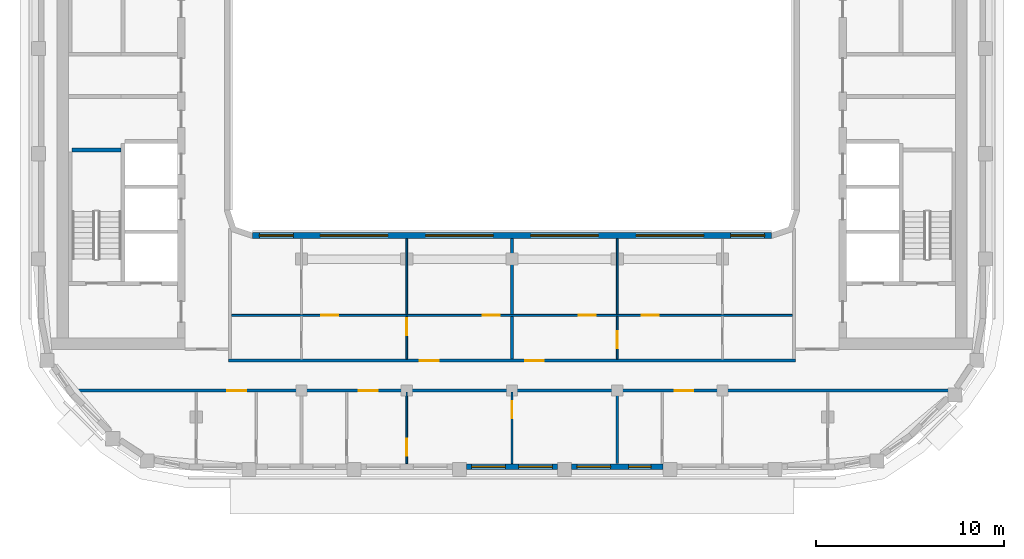
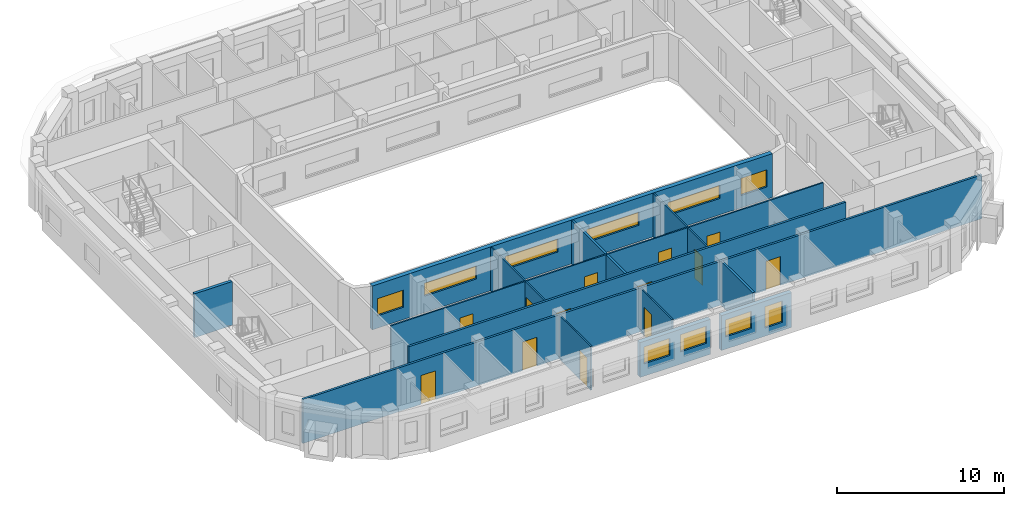
# One storey, part 3 of 16: 16 walls, 13 doors, 10 windows, 23 openings.
"""IFC4 building model written with IfcOpenShell, lengths in metres."""

import ifcopenshell
import ifcopenshell.guid

model = None  # the IFC model being written
_history = None  # IfcOwnerHistory: only IFC2X3 demands one
_inside = {}  # id of a spatial element -> (the spatial element, [elements in it])
_under = {}  # id of a project, library or spatial element -> (it, [spatial elements below it])
_declared = {}  # id of a project -> (the project, [libraries it declares])
_typed = {}  # id of a type object -> (the type object, [elements of that type])
_made_of = {}  # id of a material, layer set ... -> (it, [elements and type objects made of it])


def new_model(schema):
    """Start an empty IFC model of exactly this schema.

    Asked for "IFC4X3", IfcOpenShell would pick the latest addendum, in which some entities
    have other attributes; the version numbers below select the first issue.
    IFC2X3 requires an IfcOwnerHistory on every rooted entity: one is made here for all.
    """
    global model, _history
    if schema == "IFC4X3":
        model = ifcopenshell.file(schema_version=(4, 3, 0, 0))
    else:
        model = ifcopenshell.file(schema=schema)
    _inside.clear()
    _under.clear()
    _declared.clear()
    _typed.clear()
    _made_of.clear()
    _history = None
    if model.schema == "IFC2X3":
        org = make("IfcOrganization", Name="unknown")
        user = make(
            "IfcPersonAndOrganization",
            ThePerson=make("IfcPerson", FamilyName="unknown"),
            TheOrganization=org,
        )
        app = make(
            "IfcApplication",
            ApplicationDeveloper=org,
            Version="unknown",
            ApplicationFullName="unknown",
            ApplicationIdentifier="unknown",
        )
        _history = make(
            "IfcOwnerHistory",
            OwningUser=user,
            OwningApplication=app,
            ChangeAction="ADDED",
            CreationDate=0,
        )
    return model


def make(cls, **values):
    """One entity of the class cls with the attributes given. An attribute that is None is left unset."""
    return model.create_entity(
        cls, **{name: value for name, value in values.items() if value is not None}
    )


def rooted(cls, **values):
    """An entity with a GlobalId (a new one), such as an element, a storey or a relation."""
    return make(cls, GlobalId=ifcopenshell.guid.new(), OwnerHistory=_history, **values)


def si_unit(unit_type, name, prefix=None):
    """IfcSIUnit, for example si_unit("LENGTHUNIT", "METRE", prefix="MILLI")."""
    return make("IfcSIUnit", UnitType=unit_type, Prefix=prefix, Name=name)


def assignment(units):
    """IfcUnitAssignment: the units of a project."""
    return None if units is None else make("IfcUnitAssignment", Units=units)


def point(xyz):
    """IfcCartesianPoint."""
    return None if xyz is None else make("IfcCartesianPoint", Coordinates=xyz)


def direction(xyz):
    """IfcDirection."""
    return None if xyz is None else make("IfcDirection", DirectionRatios=xyz)


def frame(location, z_axis=None, x_axis=None):
    """IfcAxis2Placement3D, a coordinate frame: its origin and axes. An axis left out is left unset."""
    return make(
        "IfcAxis2Placement3D",
        Location=point(location),
        Axis=direction(z_axis),
        RefDirection=direction(x_axis),
    )


def frame_2d(location, x_axis=None):
    """IfcAxis2Placement2D, a coordinate frame in the plane: its origin and x axis."""
    return make(
        "IfcAxis2Placement2D", Location=point(location), RefDirection=direction(x_axis)
    )


def origin():
    """The frame at (0, 0, 0) with its axes left unset."""
    return frame((0.0, 0.0, 0.0))


def place(relative_to, where):
    """IfcLocalPlacement: puts the frame where relative to a parent placement (None: the world)."""
    return make(
        "IfcLocalPlacement", PlacementRelTo=relative_to, RelativePlacement=where
    )


def context(
    kind, dimensions, precision=None, world=None, true_north=None, identifier=None
):
    """IfcGeometricRepresentationContext, for example the 3D "Model" context."""
    return make(
        "IfcGeometricRepresentationContext",
        ContextIdentifier=identifier,
        ContextType=kind,
        CoordinateSpaceDimension=dimensions,
        Precision=precision,
        WorldCoordinateSystem=world,
        TrueNorth=true_north,
    )


def subcontext(parent, identifier, kind, view, scale=None):
    """IfcGeometricRepresentationSubContext, for example "Body" below "Model"."""
    return make(
        "IfcGeometricRepresentationSubContext",
        ContextIdentifier=identifier,
        ContextType=kind,
        ParentContext=parent,
        TargetScale=scale,
        TargetView=view,
    )


def project(units=None, contexts=None):
    """IfcProject with its units and contexts."""
    return rooted(
        "IfcProject",
        Name="project",
        RepresentationContexts=contexts,
        UnitsInContext=assignment(units),
    )


def spatial(cls, under=None, at=None, **own):
    """A site, building, storey or space (cls), placed at a placement, below another one or the project."""
    s = rooted(cls, ObjectPlacement=at, **own)
    if under is not None:
        _under.setdefault(under.id(), (under, []))[1].append(s)
    return s


def profile(cls, at=None, kind="AREA", **sizes):
    """A parametric profile (cls). Its sizes go by their IFC names, for example OverallWidth=200.0."""
    return make(cls, ProfileType=kind, Position=at, **sizes)


def rectangle(**sizes):
    """IfcRectangleProfileDef."""
    return profile("IfcRectangleProfileDef", **sizes)


def extrude(swept, where, along, depth):
    """IfcExtrudedAreaSolid: the profile swept, set in the frame where, extruded along a direction by depth."""
    return make(
        "IfcExtrudedAreaSolid",
        SweptArea=swept,
        Position=where,
        ExtrudedDirection=direction(along),
        Depth=depth,
    )


def shape(context_of_items, identifier, shape_type, items):
    """IfcShapeRepresentation: the items that make up one representation, for example the "Body"."""
    return make(
        "IfcShapeRepresentation",
        ContextOfItems=context_of_items,
        RepresentationIdentifier=identifier,
        RepresentationType=shape_type,
        Items=items,
    )


def material(Name=None, Category=None):
    """IfcMaterial."""
    return make("IfcMaterial", Name=Name, Category=Category)


def layer(
    of_material, thickness, ventilated=None, Name=None, Category=None, Priority=None
):
    """IfcMaterialLayer: one layer of a wall or slab, of a material (None: an air gap)."""
    return make(
        "IfcMaterialLayer",
        Material=of_material,
        LayerThickness=thickness,
        IsVentilated=ventilated,
        Name=Name,
        Category=Category,
        Priority=Priority,
    )


def layer_set(layers, Name=None):
    """IfcMaterialLayerSet."""
    return make("IfcMaterialLayerSet", MaterialLayers=layers, LayerSetName=Name)


def made_of(thing, what):
    """Note that an element or type object is made of a material, layer set ...; save() writes the relation."""
    if what is not None:
        _made_of.setdefault(what.id(), (what, []))[1].append(thing)
    return thing


def type_object(cls, material=None, **own):
    """A type object (cls), such as IfcWallType, which elements share."""
    return made_of(rooted(cls, **own), material)


def element(
    cls,
    number,
    at=None,
    inside=None,
    cuts=None,
    type_object=None,
    material=None,
    context=None,
    identifier="Body",
    shape_type=None,
    held_by="IfcProductDefinitionShape",
    body=None,
    shapes=None,
    **own,
):
    """One element of the class cls, such as IfcWall. Its Tag is "e" and its number.

    at: its placement. inside: the storey or other place that contains it. cuts: it is an
    opening in that element (IfcRelVoidsElement). A single representation is given by context,
    identifier, shape_type and body (its items); several are given by shapes. held_by: the class
    of the entity that holds the representations. save() writes the other relations.
    """
    e = rooted(cls, Tag="e%d" % number, ObjectPlacement=at, **own)
    if body is not None:
        shapes = [shape(context, identifier, shape_type, body)]
    if shapes is not None:
        e.Representation = make(held_by, Representations=shapes)
    if inside is not None:
        _inside.setdefault(inside.id(), (inside, []))[1].append(e)
    if cuts is not None:
        rooted(
            "IfcRelVoidsElement", RelatingBuildingElement=cuts, RelatedOpeningElement=e
        )
    if type_object is not None:
        _typed.setdefault(type_object.id(), (type_object, []))[1].append(e)
    return made_of(e, material)


def fill(opening, filler):
    """IfcRelFillsElement: the door or window that sits in an opening."""
    return rooted(
        "IfcRelFillsElement",
        RelatingOpeningElement=opening,
        RelatedBuildingElement=filler,
    )


def aggregate(whole, parts):
    """IfcRelAggregates: a whole, such as a stair, and the parts it consists of."""
    return rooted("IfcRelAggregates", RelatingObject=whole, RelatedObjects=parts)


def save(model, path):
    """Write the relations noted so far, then the file.

    IfcRelAggregates (storeys below a building ...), IfcRelContainedInSpatialStructure (elements
    in a storey), IfcRelDefinesByType, IfcRelAssociatesMaterial and IfcRelDeclares: one each for
    every whole, place, type object, material and project.
    """
    for whole, parts in _under.values():
        aggregate(whole, parts)
    for where, things in _inside.values():
        rooted(
            "IfcRelContainedInSpatialStructure",
            RelatedElements=things,
            RelatingStructure=where,
        )
    for kind, things in _typed.values():
        rooted("IfcRelDefinesByType", RelatedObjects=things, RelatingType=kind)
    for what, things in _made_of.values():
        rooted("IfcRelAssociatesMaterial", RelatedObjects=things, RelatingMaterial=what)
    for by, libraries in _declared.values():
        rooted("IfcRelDeclares", RelatingContext=by, RelatedDefinitions=libraries)
    model.write(path)


model = new_model("IFC4")

# Units and contexts
model_context = context("Model", 3, precision=1e-05, world=origin(), true_north=direction((0.0, 1.0)))
body_context = subcontext(model_context, "Body", "Model", "MODEL_VIEW")
ifc_project = project(units=[si_unit("LENGTHUNIT", "METRE"), si_unit("AREAUNIT", "SQUARE_METRE"), si_unit("VOLUMEUNIT", "CUBIC_METRE"), si_unit("PLANEANGLEUNIT", "RADIAN"), si_unit("MASSUNIT", "GRAM", prefix="KILO")], contexts=[model_context])

# Site, building, storey
site_placement = place(None, origin())
site = spatial("IfcSite", under=ifc_project, at=site_placement, CompositionType="ELEMENT")
building_placement = place(site_placement, origin())
building = spatial("IfcBuilding", under=site, at=building_placement, Name="Kiln Ring Residences", CompositionType="ELEMENT")
storey_placement = place(building_placement, frame((0.0, 0.0, 269.699951171875)))
storey = spatial("IfcBuildingStorey", under=building, at=storey_placement, Name="L70", CompositionType="ELEMENT", Elevation=269.699951171875)

# Wall
ifc_material_1 = material(Name="Concrete C40/50", Category="concrete")
ifc_layer_1 = layer(ifc_material_1, 0.199951171875)
ifc_layer_set_1 = layer_set([ifc_layer_1], Name="CORE-WALL-RC200")
wall_type_1 = type_object("IfcWallType", Name="CORE-WALL-RC200", PredefinedType="SHEAR", material=ifc_layer_set_1)
wall_1_placement = place(storey_placement, frame((-20.800048828125, -2.60009765625, 0.0), z_axis=(0.0, 0.0, 1.0), x_axis=(-1.0, 0.0, 0.0)))
element("IfcWall", 1, at=wall_1_placement, inside=storey, type_object=wall_type_1, Name="Core wall west L70 12", PredefinedType="SHEAR", context=body_context, shape_type="SweptSolid", body=[
    extrude(rectangle(XDim=2.599853515625, YDim=0.199951171875, at=frame_2d((1.2998046875, 0.0))), origin(), (0.0, 0.0, 1.0), 3.199951171875),
])

# Wall, openings, windows
ifc_material_2 = material(Name="Brick masonry, dark clay brick", Category="masonry")
ifc_layer_2 = layer(ifc_material_2, 0.300048828125)
ifc_layer_set_2 = layer_set([ifc_layer_2], Name="EW-300 BRICK WALL")
wall_type_2 = type_object("IfcWallType", Name="EW-300 BRICK WALL", PredefinedType="SOLIDWALL", material=ifc_layer_set_2)
wall_2_placement = place(storey_placement, frame((-2.425048828125, -19.449951171875, 0.0), z_axis=(0.0, 0.0, 1.0), x_axis=(1.0, 0.0, 0.0)))
wall_2 = element("IfcWall", 2, at=wall_2_placement, inside=storey, type_object=wall_type_2, Name="Facade wall L70 7", PredefinedType="SOLIDWALL", context=body_context, shape_type="SweptSolid", body=[
    extrude(rectangle(XDim=4.85009765625, YDim=0.300048828125, at=frame_2d((2.425048828125, 0.0))), origin(), (0.0, 0.0, 1.0), 2.550048828125),
])
opening_1_placement = place(wall_2_placement, frame((0.27490234375, 0.0, 0.89990234375)))
opening_1 = element("IfcOpeningElement", 3, at=opening_1_placement, cuts=wall_2, Name="Opening W2", PredefinedType="OPENING", context=body_context, shape_type="SweptSolid", body=[
    extrude(rectangle(XDim=1.800048828125, YDim=1.25, at=frame_2d((0.89990234375, 0.625))), frame((0.0, 0.159912109375, 0.0), z_axis=(0.0, -1.0, 0.0), x_axis=(1.0, 0.0, 0.0)), (0.0, 0.0, 1.0), 0.320068359375),
])
opening_2_placement = place(wall_2_placement, frame((2.77490234375, 0.0, 0.89990234375)))
opening_2 = element("IfcOpeningElement", 4, at=opening_2_placement, cuts=wall_2, Name="Opening W2", PredefinedType="OPENING", context=body_context, shape_type="SweptSolid", body=[
    extrude(rectangle(XDim=1.800048828125, YDim=1.25, at=frame_2d((0.89990234375, 0.625))), frame((0.0, 0.159912109375, 0.0), z_axis=(0.0, -1.0, 0.0), x_axis=(1.0, 0.0, 0.0)), (0.0, 0.0, 1.0), 0.320068359375),
])
ifc_material_3 = material(Name="Aluminium frame with double glazing", Category="aluminium")
window_type_1 = type_object("IfcWindowType", Name="WINDOW 1800 x 1250", PartitioningType="SINGLE_PANEL", PredefinedType="WINDOW", material=ifc_material_3)
window_1_placement = place(opening_1_placement, origin())
window_1 = element("IfcWindow", 5, at=window_1_placement, inside=storey, type_object=window_type_1, Name="Window L70 8", OverallHeight=1.25, OverallWidth=1.800048828125, PartitioningType="SINGLE_PANEL", PredefinedType="WINDOW", context=body_context, shape_type="SweptSolid", body=[
    extrude(rectangle(XDim=1.800048828125, YDim=1.25, at=frame_2d((0.89990234375, 0.625))), frame((0.0, 0.030029296875, 0.0), z_axis=(0.0, -1.0, 0.0), x_axis=(1.0, 0.0, 0.0)), (0.0, 0.0, 1.0), 0.06005859375),
])
fill(opening_1, window_1)
window_2_placement = place(opening_2_placement, origin())
window_2 = element("IfcWindow", 6, at=window_2_placement, inside=storey, type_object=window_type_1, Name="Window L70 9", OverallHeight=1.25, OverallWidth=1.800048828125, PartitioningType="SINGLE_PANEL", PredefinedType="WINDOW", context=body_context, shape_type="SweptSolid", body=[
    extrude(rectangle(XDim=1.800048828125, YDim=1.25, at=frame_2d((0.89990234375, 0.625))), frame((0.0, 0.030029296875, 0.0), z_axis=(0.0, -1.0, 0.0), x_axis=(1.0, 0.0, 0.0)), (0.0, 0.0, 1.0), 0.06005859375),
])
fill(opening_2, window_2)

wall_3_placement = place(storey_placement, frame((3.175048828125, -19.449951171875, 0.0), z_axis=(0.0, 0.0, 1.0), x_axis=(1.0, 0.0, 0.0)))
wall_3 = element("IfcWall", 7, at=wall_3_placement, inside=storey, type_object=wall_type_2, Name="Facade wall L70 8", PredefinedType="SOLIDWALL", context=body_context, shape_type="SweptSolid", body=[
    extrude(rectangle(XDim=4.849853515625, YDim=0.300048828125, at=frame_2d((2.4248046875, 0.0))), origin(), (0.0, 0.0, 1.0), 2.550048828125),
])
opening_3_placement = place(wall_3_placement, frame((0.27490234375, 0.0, 0.89990234375)))
opening_3 = element("IfcOpeningElement", 8, at=opening_3_placement, cuts=wall_3, Name="Opening W2", PredefinedType="OPENING", context=body_context, shape_type="SweptSolid", body=[
    extrude(rectangle(XDim=1.800048828125, YDim=1.25, at=frame_2d((0.89990234375, 0.625))), frame((0.0, 0.159912109375, 0.0), z_axis=(0.0, -1.0, 0.0), x_axis=(1.0, 0.0, 0.0)), (0.0, 0.0, 1.0), 0.320068359375),
])
opening_4_placement = place(wall_3_placement, frame((3.02490234375, 0.0, 0.60009765625)))
opening_4 = element("IfcOpeningElement", 9, at=opening_4_placement, cuts=wall_3, Name="Opening W1", PredefinedType="OPENING", context=body_context, shape_type="SweptSolid", body=[
    extrude(rectangle(XDim=1.199951171875, YDim=1.550048828125, at=frame_2d((0.60009765625, 0.77490234375))), frame((0.0, 0.159912109375, 0.0), z_axis=(0.0, -1.0, 0.0), x_axis=(1.0, 0.0, 0.0)), (0.0, 0.0, 1.0), 0.320068359375),
])
ifc_material_4 = material(Name="Aluminium frame with double glazing", Category="aluminium")
window_type_2 = type_object("IfcWindowType", Name="WINDOW 1200 x 1550", PartitioningType="SINGLE_PANEL", PredefinedType="WINDOW", material=ifc_material_4)
window_3_placement = place(opening_4_placement, origin())
window_3 = element("IfcWindow", 10, at=window_3_placement, inside=storey, type_object=window_type_2, Name="Window L70 11", OverallHeight=1.550048828125, OverallWidth=1.199951171875, PartitioningType="SINGLE_PANEL", PredefinedType="WINDOW", context=body_context, shape_type="SweptSolid", body=[
    extrude(rectangle(XDim=1.199951171875, YDim=1.550048828125, at=frame_2d((0.60009765625, 0.77490234375))), frame((0.0, 0.030029296875, 0.0), z_axis=(0.0, -1.0, 0.0), x_axis=(1.0, 0.0, 0.0)), (0.0, 0.0, 1.0), 0.06005859375),
])
fill(opening_4, window_3)
window_4_placement = place(opening_3_placement, origin())
window_4 = element("IfcWindow", 11, at=window_4_placement, inside=storey, type_object=window_type_1, Name="Window L70 10", OverallHeight=1.25, OverallWidth=1.800048828125, PartitioningType="SINGLE_PANEL", PredefinedType="WINDOW", context=body_context, shape_type="SweptSolid", body=[
    extrude(rectangle(XDim=1.800048828125, YDim=1.25, at=frame_2d((0.89990234375, 0.625))), frame((0.0, 0.030029296875, 0.0), z_axis=(0.0, -1.0, 0.0), x_axis=(1.0, 0.0, 0.0)), (0.0, 0.0, 1.0), 0.06005859375),
])
fill(opening_3, window_4)

wall_4_placement = place(storey_placement, frame((13.800048828125, -7.14990234375, 0.0), z_axis=(0.0, 0.0, 1.0), x_axis=(-1.0, 0.0, 0.0)))
wall_4 = element("IfcWall", 12, at=wall_4_placement, inside=storey, type_object=wall_type_2, Name="Facade wall L70 48", PredefinedType="SOLIDWALL", context=body_context, shape_type="SweptSolid", body=[
    extrude(rectangle(XDim=27.60009765625, YDim=0.300048828125, at=frame_2d((13.800048828125, 0.0))), origin(), (0.0, 0.0, 1.0), 3.199951171875),
])
opening_5_placement = place(wall_4_placement, frame((0.362548828125, 0.0, 0.89990234375)))
opening_5 = element("IfcOpeningElement", 13, at=opening_5_placement, cuts=wall_4, Name="Opening W2", PredefinedType="OPENING", context=body_context, shape_type="SweptSolid", body=[
    extrude(rectangle(XDim=1.800048828125, YDim=1.25, at=frame_2d((0.89990234375, 0.625))), frame((0.0, 0.159912109375, 0.0), z_axis=(0.0, -1.0, 0.0), x_axis=(1.0, 0.0, 0.0)), (0.0, 0.0, 1.0), 0.320068359375),
])
opening_6_placement = place(wall_4_placement, frame((3.60009765625, 0.0, 1.199951171875)))
opening_6 = element("IfcOpeningElement", 14, at=opening_6_placement, cuts=wall_4, Name="Opening W4", PredefinedType="OPENING", context=body_context, shape_type="SweptSolid", body=[
    extrude(rectangle(XDim=3.60009765625, YDim=0.949951171875, at=frame_2d((1.800048828125, 0.47509765625))), frame((0.0, 0.159912109375, 0.0), z_axis=(0.0, -1.0, 0.0), x_axis=(1.0, 0.0, 0.0)), (0.0, 0.0, 1.0), 0.320068359375),
])
opening_7_placement = place(wall_4_placement, frame((9.199951171875, 0.0, 1.199951171875)))
opening_7 = element("IfcOpeningElement", 15, at=opening_7_placement, cuts=wall_4, Name="Opening W4", PredefinedType="OPENING", context=body_context, shape_type="SweptSolid", body=[
    extrude(rectangle(XDim=3.60009765625, YDim=0.949951171875, at=frame_2d((1.800048828125, 0.47509765625))), frame((0.0, 0.159912109375, 0.0), z_axis=(0.0, -1.0, 0.0), x_axis=(1.0, 0.0, 0.0)), (0.0, 0.0, 1.0), 0.320068359375),
])
opening_8_placement = place(wall_4_placement, frame((14.800048828125, 0.0, 1.199951171875)))
opening_8 = element("IfcOpeningElement", 16, at=opening_8_placement, cuts=wall_4, Name="Opening W4", PredefinedType="OPENING", context=body_context, shape_type="SweptSolid", body=[
    extrude(rectangle(XDim=3.60009765625, YDim=0.949951171875, at=frame_2d((1.800048828125, 0.47509765625))), frame((0.0, 0.159912109375, 0.0), z_axis=(0.0, -1.0, 0.0), x_axis=(1.0, 0.0, 0.0)), (0.0, 0.0, 1.0), 0.320068359375),
])
opening_9_placement = place(wall_4_placement, frame((20.39990234375, 0.0, 1.199951171875)))
opening_9 = element("IfcOpeningElement", 17, at=opening_9_placement, cuts=wall_4, Name="Opening W4", PredefinedType="OPENING", context=body_context, shape_type="SweptSolid", body=[
    extrude(rectangle(XDim=3.60009765625, YDim=0.949951171875, at=frame_2d((1.800048828125, 0.47509765625))), frame((0.0, 0.159912109375, 0.0), z_axis=(0.0, -1.0, 0.0), x_axis=(1.0, 0.0, 0.0)), (0.0, 0.0, 1.0), 0.320068359375),
])
opening_10_placement = place(wall_4_placement, frame((25.4375, 0.0, 0.89990234375)))
opening_10 = element("IfcOpeningElement", 18, at=opening_10_placement, cuts=wall_4, Name="Opening W2", PredefinedType="OPENING", context=body_context, shape_type="SweptSolid", body=[
    extrude(rectangle(XDim=1.800048828125, YDim=1.25, at=frame_2d((0.89990234375, 0.625))), frame((0.0, 0.159912109375, 0.0), z_axis=(0.0, -1.0, 0.0), x_axis=(1.0, 0.0, 0.0)), (0.0, 0.0, 1.0), 0.320068359375),
])
window_5_placement = place(opening_5_placement, origin())
window_5 = element("IfcWindow", 19, at=window_5_placement, inside=storey, type_object=window_type_1, Name="Window L70 43", OverallHeight=1.25, OverallWidth=1.800048828125, PartitioningType="SINGLE_PANEL", PredefinedType="WINDOW", context=body_context, shape_type="SweptSolid", body=[
    extrude(rectangle(XDim=1.800048828125, YDim=1.25, at=frame_2d((0.89990234375, 0.625))), frame((0.0, 0.030029296875, 0.0), z_axis=(0.0, -1.0, 0.0), x_axis=(1.0, 0.0, 0.0)), (0.0, 0.0, 1.0), 0.06005859375),
])
fill(opening_5, window_5)
window_6_placement = place(opening_10_placement, origin())
window_6 = element("IfcWindow", 20, at=window_6_placement, inside=storey, type_object=window_type_1, Name="Window L70 48", OverallHeight=1.25, OverallWidth=1.800048828125, PartitioningType="SINGLE_PANEL", PredefinedType="WINDOW", context=body_context, shape_type="SweptSolid", body=[
    extrude(rectangle(XDim=1.800048828125, YDim=1.25, at=frame_2d((0.89990234375, 0.625))), frame((0.0, 0.030029296875, 0.0), z_axis=(0.0, -1.0, 0.0), x_axis=(1.0, 0.0, 0.0)), (0.0, 0.0, 1.0), 0.06005859375),
])
fill(opening_10, window_6)
ifc_material_5 = material(Name="Aluminium frame with double glazing", Category="aluminium")
window_type_3 = type_object("IfcWindowType", Name="WINDOW 3600 x 950", PartitioningType="SINGLE_PANEL", PredefinedType="WINDOW", material=ifc_material_5)
window_7_placement = place(opening_6_placement, origin())
window_7 = element("IfcWindow", 21, at=window_7_placement, inside=storey, type_object=window_type_3, Name="Window L70 44", OverallHeight=0.949951171875, OverallWidth=3.60009765625, PartitioningType="SINGLE_PANEL", PredefinedType="WINDOW", context=body_context, shape_type="SweptSolid", body=[
    extrude(rectangle(XDim=3.60009765625, YDim=0.949951171875, at=frame_2d((1.800048828125, 0.47509765625))), frame((0.0, 0.030029296875, 0.0), z_axis=(0.0, -1.0, 0.0), x_axis=(1.0, 0.0, 0.0)), (0.0, 0.0, 1.0), 0.06005859375),
])
fill(opening_6, window_7)
window_8_placement = place(opening_7_placement, origin())
window_8 = element("IfcWindow", 22, at=window_8_placement, inside=storey, type_object=window_type_3, Name="Window L70 45", OverallHeight=0.949951171875, OverallWidth=3.60009765625, PartitioningType="SINGLE_PANEL", PredefinedType="WINDOW", context=body_context, shape_type="SweptSolid", body=[
    extrude(rectangle(XDim=3.60009765625, YDim=0.949951171875, at=frame_2d((1.800048828125, 0.47509765625))), frame((0.0, 0.030029296875, 0.0), z_axis=(0.0, -1.0, 0.0), x_axis=(1.0, 0.0, 0.0)), (0.0, 0.0, 1.0), 0.06005859375),
])
fill(opening_7, window_8)
window_9_placement = place(opening_8_placement, origin())
window_9 = element("IfcWindow", 23, at=window_9_placement, inside=storey, type_object=window_type_3, Name="Window L70 46", OverallHeight=0.949951171875, OverallWidth=3.60009765625, PartitioningType="SINGLE_PANEL", PredefinedType="WINDOW", context=body_context, shape_type="SweptSolid", body=[
    extrude(rectangle(XDim=3.60009765625, YDim=0.949951171875, at=frame_2d((1.800048828125, 0.47509765625))), frame((0.0, 0.030029296875, 0.0), z_axis=(0.0, -1.0, 0.0), x_axis=(1.0, 0.0, 0.0)), (0.0, 0.0, 1.0), 0.06005859375),
])
fill(opening_8, window_9)
window_10_placement = place(opening_9_placement, origin())
window_10 = element("IfcWindow", 24, at=window_10_placement, inside=storey, type_object=window_type_3, Name="Window L70 47", OverallHeight=0.949951171875, OverallWidth=3.60009765625, PartitioningType="SINGLE_PANEL", PredefinedType="WINDOW", context=body_context, shape_type="SweptSolid", body=[
    extrude(rectangle(XDim=3.60009765625, YDim=0.949951171875, at=frame_2d((1.800048828125, 0.47509765625))), frame((0.0, 0.030029296875, 0.0), z_axis=(0.0, -1.0, 0.0), x_axis=(1.0, 0.0, 0.0)), (0.0, 0.0, 1.0), 0.06005859375),
])
fill(opening_9, window_10)

# Wall, openings, doors
ifc_material_6 = material(Name="Gypsum board on steel studs", Category="steel")
ifc_layer_3 = layer(ifc_material_6, 0.10009765625)
ifc_layer_set_3 = layer_set([ifc_layer_3], Name="PARTITION-100")
wall_type_3 = type_object("IfcWallType", Name="PARTITION-100", PredefinedType="PARTITIONING", material=ifc_layer_set_3)
wall_5_placement = place(storey_placement, frame((-14.925048828125, -11.39990234375, 0.0), z_axis=(0.0, 0.0, 1.0), x_axis=(1.0, 0.0, 0.0)))
wall_5 = element("IfcWall", 25, at=wall_5_placement, inside=storey, type_object=wall_type_3, Name="Partition 004", PredefinedType="PARTITIONING", context=body_context, shape_type="SweptSolid", body=[
    extrude(rectangle(XDim=29.85009765625, YDim=0.10009765625, at=frame_2d((14.925048828125, 0.0))), origin(), (0.0, 0.0, 1.0), 3.199951171875),
])
opening_11_placement = place(wall_5_placement, frame((13.375, 0.0, 0.0)))
opening_11 = element("IfcOpeningElement", 26, at=opening_11_placement, cuts=wall_5, Name="Opening L70-D033", PredefinedType="OPENING", context=body_context, shape_type="SweptSolid", body=[
    extrude(rectangle(XDim=0.89990234375, YDim=2.10009765625, at=frame_2d((0.449951171875, 1.050048828125))), frame((0.0, 0.06005859375, 0.0), z_axis=(0.0, -1.0, 0.0), x_axis=(1.0, 0.0, 0.0)), (0.0, 0.0, 1.0), 0.1201171875),
])
opening_12_placement = place(wall_5_placement, frame((4.77490234375, 0.0, 0.0)))
opening_12 = element("IfcOpeningElement", 27, at=opening_12_placement, cuts=wall_5, Name="Opening L70-D034", PredefinedType="OPENING", context=body_context, shape_type="SweptSolid", body=[
    extrude(rectangle(XDim=0.89990234375, YDim=2.10009765625, at=frame_2d((0.449951171875, 1.050048828125))), frame((0.0, 0.06005859375, 0.0), z_axis=(0.0, -1.0, 0.0), x_axis=(1.0, 0.0, 0.0)), (0.0, 0.0, 1.0), 0.1201171875),
])
opening_13_placement = place(wall_5_placement, frame((18.47509765625, 0.0, 0.0)))
opening_13 = element("IfcOpeningElement", 28, at=opening_13_placement, cuts=wall_5, Name="Opening L70-D039", PredefinedType="OPENING", context=body_context, shape_type="SweptSolid", body=[
    extrude(rectangle(XDim=0.89990234375, YDim=2.10009765625, at=frame_2d((0.449951171875, 1.050048828125))), frame((0.0, 0.06005859375, 0.0), z_axis=(0.0, -1.0, 0.0), x_axis=(1.0, 0.0, 0.0)), (0.0, 0.0, 1.0), 0.1201171875),
])
opening_14_placement = place(wall_5_placement, frame((21.824951171875, 0.0, 0.0)))
opening_14 = element("IfcOpeningElement", 29, at=opening_14_placement, cuts=wall_5, Name="Opening L70-D040", PredefinedType="OPENING", context=body_context, shape_type="SweptSolid", body=[
    extrude(rectangle(XDim=0.89990234375, YDim=2.10009765625, at=frame_2d((0.449951171875, 1.050048828125))), frame((0.0, 0.06005859375, 0.0), z_axis=(0.0, -1.0, 0.0), x_axis=(1.0, 0.0, 0.0)), (0.0, 0.0, 1.0), 0.1201171875),
])
ifc_material_7 = material(Name="Timber door leaf", Category="wood")
door_type_1 = type_object("IfcDoorType", Name="FLAT-DOOR-900-PL", OperationType="SINGLE_SWING_LEFT", PredefinedType="DOOR", material=ifc_material_7)
door_1_placement = place(opening_11_placement, origin())
door_1 = element("IfcDoor", 30, at=door_1_placement, inside=storey, type_object=door_type_1, Name="Door L70-D033", OperationType="SINGLE_SWING_LEFT", OverallHeight=2.10009765625, OverallWidth=0.89990234375, PredefinedType="DOOR", context=body_context, shape_type="SweptSolid", body=[
    extrude(rectangle(XDim=0.89990234375, YDim=2.10009765625, at=frame_2d((0.449951171875, 1.050048828125))), frame((0.0, 0.02490234375, 0.0), z_axis=(0.0, -1.0, 0.0), x_axis=(1.0, 0.0, 0.0)), (0.0, 0.0, 1.0), 0.050048828125),
])
fill(opening_11, door_1)
door_2_placement = place(opening_12_placement, origin())
door_2 = element("IfcDoor", 31, at=door_2_placement, inside=storey, type_object=door_type_1, Name="Door L70-D034", OperationType="SINGLE_SWING_RIGHT", OverallHeight=2.10009765625, OverallWidth=0.89990234375, PredefinedType="DOOR", context=body_context, shape_type="SweptSolid", body=[
    extrude(rectangle(XDim=0.89990234375, YDim=2.10009765625, at=frame_2d((0.449951171875, 1.050048828125))), frame((0.0, 0.02490234375, 0.0), z_axis=(0.0, -1.0, 0.0), x_axis=(1.0, 0.0, 0.0)), (0.0, 0.0, 1.0), 0.050048828125),
])
fill(opening_12, door_2)
door_3_placement = place(opening_13_placement, origin())
door_3 = element("IfcDoor", 32, at=door_3_placement, inside=storey, type_object=door_type_1, Name="Door L70-D039", OperationType="SINGLE_SWING_LEFT", OverallHeight=2.10009765625, OverallWidth=0.89990234375, PredefinedType="DOOR", context=body_context, shape_type="SweptSolid", body=[
    extrude(rectangle(XDim=0.89990234375, YDim=2.10009765625, at=frame_2d((0.449951171875, 1.050048828125))), frame((0.0, 0.02490234375, 0.0), z_axis=(0.0, -1.0, 0.0), x_axis=(1.0, 0.0, 0.0)), (0.0, 0.0, 1.0), 0.050048828125),
])
fill(opening_13, door_3)
door_4_placement = place(opening_14_placement, origin())
door_4 = element("IfcDoor", 33, at=door_4_placement, inside=storey, type_object=door_type_1, Name="Door L70-D040", OperationType="SINGLE_SWING_RIGHT", OverallHeight=2.10009765625, OverallWidth=0.89990234375, PredefinedType="DOOR", context=body_context, shape_type="SweptSolid", body=[
    extrude(rectangle(XDim=0.89990234375, YDim=2.10009765625, at=frame_2d((0.449951171875, 1.050048828125))), frame((0.0, 0.02490234375, 0.0), z_axis=(0.0, -1.0, 0.0), x_axis=(1.0, 0.0, 0.0)), (0.0, 0.0, 1.0), 0.050048828125),
])
fill(opening_14, door_4)

# Wall, opening, door
wall_6_placement = place(storey_placement, frame((-5.60009765625, -19.280029296875, 0.0), z_axis=(0.0, 0.0, 1.0), x_axis=(0.0, 1.0, 0.0)))
wall_6 = element("IfcWall", 34, at=wall_6_placement, inside=storey, type_object=wall_type_3, Name="Partition 024", PredefinedType="PARTITIONING", context=body_context, shape_type="SweptSolid", body=[
    extrude(rectangle(XDim=3.804931640625, YDim=0.10009765625, at=frame_2d((1.90234375, 0.0))), origin(), (0.0, 0.0, 1.0), 3.199951171875),
])
opening_15_placement = place(wall_6_placement, frame((0.419921875, 0.0, 0.0)))
opening_15 = element("IfcOpeningElement", 35, at=opening_15_placement, cuts=wall_6, Name="Opening L70-D047", PredefinedType="OPENING", context=body_context, shape_type="SweptSolid", body=[
    extrude(rectangle(XDim=0.89990234375, YDim=2.10009765625, at=frame_2d((0.449951171875, 1.050048828125))), frame((0.0, 0.06005859375, 0.0), z_axis=(0.0, -1.0, 0.0), x_axis=(1.0, 0.0, 0.0)), (0.0, 0.0, 1.0), 0.1201171875),
])
door_5_placement = place(opening_15_placement, origin())
door_5 = element("IfcDoor", 36, at=door_5_placement, inside=storey, type_object=door_type_1, Name="Door L70-D047", OperationType="SINGLE_SWING_LEFT", OverallHeight=2.10009765625, OverallWidth=0.89990234375, PredefinedType="DOOR", context=body_context, shape_type="SweptSolid", body=[
    extrude(rectangle(XDim=0.89990234375, YDim=2.10009765625, at=frame_2d((0.449951171875, 1.050048828125))), frame((0.0, 0.02490234375, 0.0), z_axis=(0.0, -1.0, 0.0), x_axis=(1.0, 0.0, 0.0)), (0.0, 0.0, 1.0), 0.050048828125),
])
fill(opening_15, door_5)

wall_7_placement = place(storey_placement, frame((-5.60009765625, -13.72509765625, 0.0), z_axis=(0.0, 0.0, 1.0), x_axis=(0.0, 1.0, 0.0)))
wall_7 = element("IfcWall", 37, at=wall_7_placement, inside=storey, type_object=wall_type_3, Name="Partition 025", PredefinedType="PARTITIONING", context=body_context, shape_type="SweptSolid", body=[
    extrude(rectangle(XDim=2.275146484375, YDim=0.10009765625, at=frame_2d((1.1376953125, 0.0))), origin(), (0.0, 0.0, 1.0), 3.199951171875),
])
opening_16_placement = place(wall_7_placement, frame((1.27490234375, 0.0, 0.0)))
opening_16 = element("IfcOpeningElement", 38, at=opening_16_placement, cuts=wall_7, Name="Opening L70-D031", PredefinedType="OPENING", context=body_context, shape_type="SweptSolid", body=[
    extrude(rectangle(XDim=0.89990234375, YDim=2.10009765625, at=frame_2d((0.449951171875, 1.050048828125))), frame((0.0, 0.06005859375, 0.0), z_axis=(0.0, -1.0, 0.0), x_axis=(1.0, 0.0, 0.0)), (0.0, 0.0, 1.0), 0.1201171875),
])
door_6_placement = place(opening_16_placement, origin())
door_6 = element("IfcDoor", 39, at=door_6_placement, inside=storey, type_object=door_type_1, Name="Door L70-D031", OperationType="SINGLE_SWING_LEFT", OverallHeight=2.10009765625, OverallWidth=0.89990234375, PredefinedType="DOOR", context=body_context, shape_type="SweptSolid", body=[
    extrude(rectangle(XDim=0.89990234375, YDim=2.10009765625, at=frame_2d((0.449951171875, 1.050048828125))), frame((0.0, 0.02490234375, 0.0), z_axis=(0.0, -1.0, 0.0), x_axis=(1.0, 0.0, 0.0)), (0.0, 0.0, 1.0), 0.050048828125),
])
fill(opening_16, door_6)

# Wall
wall_8_placement = place(storey_placement, frame((-5.60009765625, -11.35009765625, 0.0), z_axis=(0.0, 0.0, 1.0), x_axis=(0.0, 1.0, 0.0)))
element("IfcWall", 40, at=wall_8_placement, inside=storey, type_object=wall_type_3, Name="Partition 026", PredefinedType="PARTITIONING", context=body_context, shape_type="SweptSolid", body=[
    extrude(rectangle(XDim=4.030029296875, YDim=0.10009765625, at=frame_2d((2.01513671875, 0.0))), origin(), (0.0, 0.0, 1.0), 3.199951171875),
])

# Wall, opening, door
wall_9_placement = place(storey_placement, frame((0.0, -19.280029296875, 0.0), z_axis=(0.0, 0.0, 1.0), x_axis=(0.0, 1.0, 0.0)))
wall_9 = element("IfcWall", 41, at=wall_9_placement, inside=storey, type_object=wall_type_3, Name="Partition 030", PredefinedType="PARTITIONING", context=body_context, shape_type="SweptSolid", body=[
    extrude(rectangle(XDim=3.804931640625, YDim=0.10009765625, at=frame_2d((1.90234375, 0.0))), origin(), (0.0, 0.0, 1.0), 3.199951171875),
])
opening_17_placement = place(wall_9_placement, frame((2.419921875, 0.0, 0.0)))
opening_17 = element("IfcOpeningElement", 42, at=opening_17_placement, cuts=wall_9, Name="Opening L70-D048", PredefinedType="OPENING", context=body_context, shape_type="SweptSolid", body=[
    extrude(rectangle(XDim=0.89990234375, YDim=2.10009765625, at=frame_2d((0.449951171875, 1.050048828125))), frame((0.0, 0.06005859375, 0.0), z_axis=(0.0, -1.0, 0.0), x_axis=(1.0, 0.0, 0.0)), (0.0, 0.0, 1.0), 0.1201171875),
])
door_7_placement = place(opening_17_placement, origin())
door_7 = element("IfcDoor", 43, at=door_7_placement, inside=storey, type_object=door_type_1, Name="Door L70-D048", OperationType="SINGLE_SWING_RIGHT", OverallHeight=2.10009765625, OverallWidth=0.89990234375, PredefinedType="DOOR", context=body_context, shape_type="SweptSolid", body=[
    extrude(rectangle(XDim=0.89990234375, YDim=2.10009765625, at=frame_2d((0.449951171875, 1.050048828125))), frame((0.0, 0.02490234375, 0.0), z_axis=(0.0, -1.0, 0.0), x_axis=(1.0, 0.0, 0.0)), (0.0, 0.0, 1.0), 0.050048828125),
])
fill(opening_17, door_7)

wall_10_placement = place(storey_placement, frame((5.60009765625, -13.72509765625, 0.0), z_axis=(0.0, 0.0, 1.0), x_axis=(0.0, 1.0, 0.0)))
wall_10 = element("IfcWall", 44, at=wall_10_placement, inside=storey, type_object=wall_type_3, Name="Partition 037", PredefinedType="PARTITIONING", context=body_context, shape_type="SweptSolid", body=[
    extrude(rectangle(XDim=2.275146484375, YDim=0.10009765625, at=frame_2d((1.1376953125, 0.0))), origin(), (0.0, 0.0, 1.0), 3.199951171875),
])
opening_18_placement = place(wall_10_placement, frame((0.575927734375, 0.0, 0.0)))
opening_18 = element("IfcOpeningElement", 45, at=opening_18_placement, cuts=wall_10, Name="Opening L70-D037", PredefinedType="OPENING", context=body_context, shape_type="SweptSolid", body=[
    extrude(rectangle(XDim=0.89990234375, YDim=2.10009765625, at=frame_2d((0.449951171875, 1.050048828125))), frame((0.0, 0.06005859375, 0.0), z_axis=(0.0, -1.0, 0.0), x_axis=(1.0, 0.0, 0.0)), (0.0, 0.0, 1.0), 0.1201171875),
])
door_8_placement = place(opening_18_placement, origin())
door_8 = element("IfcDoor", 46, at=door_8_placement, inside=storey, type_object=door_type_1, Name="Door L70-D037", OperationType="SINGLE_SWING_LEFT", OverallHeight=2.10009765625, OverallWidth=0.89990234375, PredefinedType="DOOR", context=body_context, shape_type="SweptSolid", body=[
    extrude(rectangle(XDim=0.89990234375, YDim=2.10009765625, at=frame_2d((0.449951171875, 1.050048828125))), frame((0.0, 0.02490234375, 0.0), z_axis=(0.0, -1.0, 0.0), x_axis=(1.0, 0.0, 0.0)), (0.0, 0.0, 1.0), 0.050048828125),
])
fill(opening_18, door_8)

# Wall
wall_11_placement = place(storey_placement, frame((5.60009765625, -11.35009765625, 0.0), z_axis=(0.0, 0.0, 1.0), x_axis=(0.0, 1.0, 0.0)))
element("IfcWall", 47, at=wall_11_placement, inside=storey, type_object=wall_type_3, Name="Partition 038", PredefinedType="PARTITIONING", context=body_context, shape_type="SweptSolid", body=[
    extrude(rectangle(XDim=4.030029296875, YDim=0.10009765625, at=frame_2d((2.01513671875, 0.0))), origin(), (0.0, 0.0, 1.0), 3.199951171875),
])

# Wall, openings, doors
ifc_material_8 = material(Name="Brick masonry partition", Category="masonry")
ifc_layer_4 = layer(ifc_material_8, 0.14990234375)
ifc_layer_set_4 = layer_set([ifc_layer_4], Name="PARTITION-150-ei60")
wall_type_4 = type_object("IfcWallType", Name="PARTITION-150-ei60", PredefinedType="PARTITIONING", material=ifc_layer_set_4)
wall_12_placement = place(storey_placement, frame((-23.322021484375, -15.39990234375, 0.0), z_axis=(0.0, 0.0, 1.0), x_axis=(1.0, 0.0, 0.0)))
wall_12 = element("IfcWall", 48, at=wall_12_placement, inside=storey, type_object=wall_type_4, Name="Partition 000", PredefinedType="PARTITIONING", context=body_context, shape_type="SweptSolid", body=[
    extrude(rectangle(XDim=46.8720703125, YDim=0.14990234375, at=frame_2d((23.43603515625, 0.0))), origin(), (0.0, 0.0, 1.0), 3.199951171875),
])
opening_19_placement = place(wall_12_placement, frame((8.172119140625, 0.0, 0.0)))
opening_19 = element("IfcOpeningElement", 49, at=opening_19_placement, cuts=wall_12, Name="Opening L70-D042", PredefinedType="OPENING", context=body_context, shape_type="SweptSolid", body=[
    extrude(rectangle(XDim=1.0, YDim=2.10009765625, at=frame_2d((0.5, 1.050048828125))), frame((0.0, 0.0849609375, 0.0), z_axis=(0.0, -1.0, 0.0), x_axis=(1.0, 0.0, 0.0)), (0.0, 0.0, 1.0), 0.169921875),
])
opening_20_placement = place(wall_12_placement, frame((15.172119140625, 0.0, 0.0)))
opening_20 = element("IfcOpeningElement", 50, at=opening_20_placement, cuts=wall_12, Name="Opening L70-D045", PredefinedType="OPENING", context=body_context, shape_type="SweptSolid", body=[
    extrude(rectangle(XDim=1.0, YDim=2.10009765625, at=frame_2d((0.5, 1.050048828125))), frame((0.0, 0.0849609375, 0.0), z_axis=(0.0, -1.0, 0.0), x_axis=(1.0, 0.0, 0.0)), (0.0, 0.0, 1.0), 0.169921875),
])
opening_21_placement = place(wall_12_placement, frame((31.97216796875, 0.0, 0.0)))
opening_21 = element("IfcOpeningElement", 51, at=opening_21_placement, cuts=wall_12, Name="Opening L70-D049", PredefinedType="OPENING", context=body_context, shape_type="SweptSolid", body=[
    extrude(rectangle(XDim=1.0, YDim=2.10009765625, at=frame_2d((0.5, 1.050048828125))), frame((0.0, 0.0849609375, 0.0), z_axis=(0.0, -1.0, 0.0), x_axis=(1.0, 0.0, 0.0)), (0.0, 0.0, 1.0), 0.169921875),
])
ifc_material_9 = material(Name="Steel faced fire door leaf", Category="steel")
door_type_2 = type_object("IfcDoorType", Name="FLAT-DOOR-1000-FR", OperationType="SINGLE_SWING_LEFT", PredefinedType="DOOR", material=ifc_material_9)
door_9_placement = place(opening_19_placement, origin())
door_9 = element("IfcDoor", 52, at=door_9_placement, inside=storey, type_object=door_type_2, Name="Door L70-D042", OperationType="SINGLE_SWING_RIGHT", OverallHeight=2.10009765625, OverallWidth=1.0, PredefinedType="DOOR", context=body_context, shape_type="SweptSolid", body=[
    extrude(rectangle(XDim=1.0, YDim=2.10009765625, at=frame_2d((0.5, 1.050048828125))), frame((0.0, 0.02490234375, 0.0), z_axis=(0.0, -1.0, 0.0), x_axis=(1.0, 0.0, 0.0)), (0.0, 0.0, 1.0), 0.050048828125),
])
fill(opening_19, door_9)
door_10_placement = place(opening_20_placement, origin())
door_10 = element("IfcDoor", 53, at=door_10_placement, inside=storey, type_object=door_type_2, Name="Door L70-D045", OperationType="SINGLE_SWING_LEFT", OverallHeight=2.10009765625, OverallWidth=1.0, PredefinedType="DOOR", context=body_context, shape_type="SweptSolid", body=[
    extrude(rectangle(XDim=1.0, YDim=2.10009765625, at=frame_2d((0.5, 1.050048828125))), frame((0.0, 0.02490234375, 0.0), z_axis=(0.0, -1.0, 0.0), x_axis=(1.0, 0.0, 0.0)), (0.0, 0.0, 1.0), 0.050048828125),
])
fill(opening_20, door_10)
door_11_placement = place(opening_21_placement, origin())
door_11 = element("IfcDoor", 54, at=door_11_placement, inside=storey, type_object=door_type_2, Name="Door L70-D049", OperationType="SINGLE_SWING_LEFT", OverallHeight=2.10009765625, OverallWidth=1.0, PredefinedType="DOOR", context=body_context, shape_type="SweptSolid", body=[
    extrude(rectangle(XDim=1.0, YDim=2.10009765625, at=frame_2d((0.5, 1.050048828125))), frame((0.0, 0.02490234375, 0.0), z_axis=(0.0, -1.0, 0.0), x_axis=(1.0, 0.0, 0.0)), (0.0, 0.0, 1.0), 0.050048828125),
])
fill(opening_21, door_11)

wall_13_placement = place(storey_placement, frame((-15.074951171875, -13.800048828125, 0.0), z_axis=(0.0, 0.0, 1.0), x_axis=(1.0, 0.0, 0.0)))
wall_13 = element("IfcWall", 55, at=wall_13_placement, inside=storey, type_object=wall_type_4, Name="Partition 001", PredefinedType="PARTITIONING", context=body_context, shape_type="SweptSolid", body=[
    extrude(rectangle(XDim=30.14990234375, YDim=0.14990234375, at=frame_2d((15.074951171875, 0.0))), origin(), (0.0, 0.0, 1.0), 3.199951171875),
])
opening_22_placement = place(wall_13_placement, frame((10.175048828125, 0.0, 0.0)))
opening_22 = element("IfcOpeningElement", 56, at=opening_22_placement, cuts=wall_13, Name="Opening L70-D030", PredefinedType="OPENING", context=body_context, shape_type="SweptSolid", body=[
    extrude(rectangle(XDim=1.0, YDim=2.10009765625, at=frame_2d((0.5, 1.050048828125))), frame((0.0, 0.0849609375, 0.0), z_axis=(0.0, -1.0, 0.0), x_axis=(1.0, 0.0, 0.0)), (0.0, 0.0, 1.0), 0.169921875),
])
opening_23_placement = place(wall_13_placement, frame((15.77490234375, 0.0, 0.0)))
opening_23 = element("IfcOpeningElement", 57, at=opening_23_placement, cuts=wall_13, Name="Opening L70-D036", PredefinedType="OPENING", context=body_context, shape_type="SweptSolid", body=[
    extrude(rectangle(XDim=1.0, YDim=2.10009765625, at=frame_2d((0.5, 1.050048828125))), frame((0.0, 0.0849609375, 0.0), z_axis=(0.0, -1.0, 0.0), x_axis=(1.0, 0.0, 0.0)), (0.0, 0.0, 1.0), 0.169921875),
])
door_12_placement = place(opening_22_placement, origin())
door_12 = element("IfcDoor", 58, at=door_12_placement, inside=storey, type_object=door_type_2, Name="Door L70-D030", OperationType="SINGLE_SWING_RIGHT", OverallHeight=2.10009765625, OverallWidth=1.0, PredefinedType="DOOR", context=body_context, shape_type="SweptSolid", body=[
    extrude(rectangle(XDim=1.0, YDim=2.10009765625, at=frame_2d((0.5, 1.050048828125))), frame((0.0, 0.02490234375, 0.0), z_axis=(0.0, -1.0, 0.0), x_axis=(1.0, 0.0, 0.0)), (0.0, 0.0, 1.0), 0.050048828125),
])
fill(opening_22, door_12)
door_13_placement = place(opening_23_placement, origin())
door_13 = element("IfcDoor", 59, at=door_13_placement, inside=storey, type_object=door_type_2, Name="Door L70-D036", OperationType="SINGLE_SWING_RIGHT", OverallHeight=2.10009765625, OverallWidth=1.0, PredefinedType="DOOR", context=body_context, shape_type="SweptSolid", body=[
    extrude(rectangle(XDim=1.0, YDim=2.10009765625, at=frame_2d((0.5, 1.050048828125))), frame((0.0, 0.02490234375, 0.0), z_axis=(0.0, -1.0, 0.0), x_axis=(1.0, 0.0, 0.0)), (0.0, 0.0, 1.0), 0.050048828125),
])
fill(opening_23, door_13)

# Walls
wall_14_placement = place(storey_placement, frame((0.0, -13.72509765625, 0.0), z_axis=(0.0, 0.0, 1.0), x_axis=(0.0, 1.0, 0.0)))
element("IfcWall", 60, at=wall_14_placement, inside=storey, type_object=wall_type_4, Name="Partition 031", PredefinedType="PARTITIONING", context=body_context, shape_type="SweptSolid", body=[
    extrude(rectangle(XDim=2.275146484375, YDim=0.14990234375, at=frame_2d((1.1376953125, 0.0))), origin(), (0.0, 0.0, 1.0), 3.199951171875),
])
wall_15_placement = place(storey_placement, frame((0.0, -11.35009765625, 0.0), z_axis=(0.0, 0.0, 1.0), x_axis=(0.0, 1.0, 0.0)))
element("IfcWall", 61, at=wall_15_placement, inside=storey, type_object=wall_type_4, Name="Partition 032", PredefinedType="PARTITIONING", context=body_context, shape_type="SweptSolid", body=[
    extrude(rectangle(XDim=4.030029296875, YDim=0.14990234375, at=frame_2d((2.01513671875, 0.0))), origin(), (0.0, 0.0, 1.0), 3.199951171875),
])
wall_16_placement = place(storey_placement, frame((5.60009765625, -19.280029296875, 0.0), z_axis=(0.0, 0.0, 1.0), x_axis=(0.0, 1.0, 0.0)))
element("IfcWall", 62, at=wall_16_placement, inside=storey, type_object=wall_type_4, Name="Partition 040", PredefinedType="PARTITIONING", context=body_context, shape_type="SweptSolid", body=[
    extrude(rectangle(XDim=3.804931640625, YDim=0.14990234375, at=frame_2d((1.90234375, 0.0))), origin(), (0.0, 0.0, 1.0), 3.199951171875),
])

save(model, "model.ifc")
